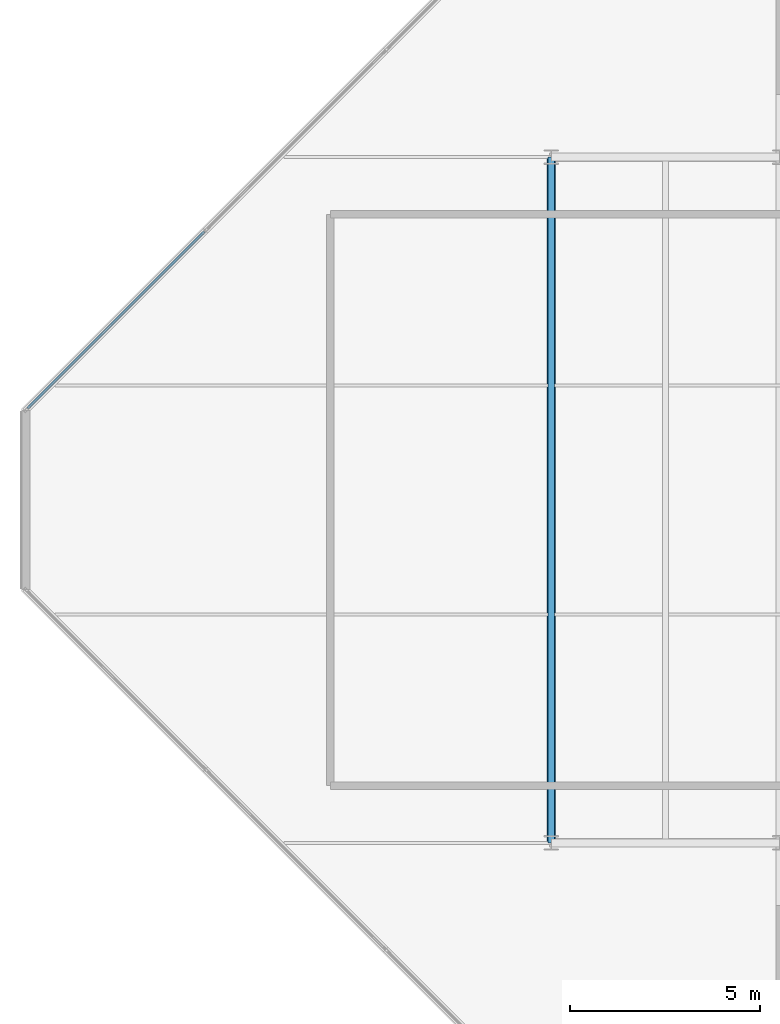
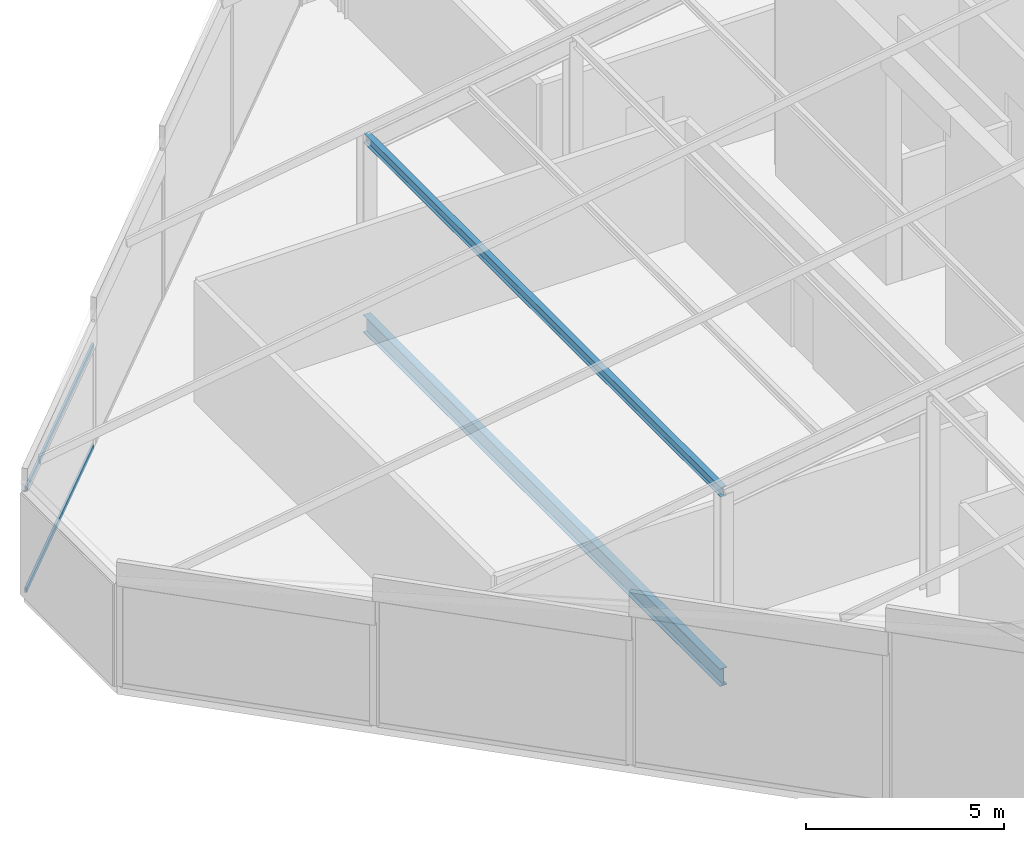
# One storey, part 7 of 30: 3 members, 1 beam, 1 element without a shape of its own.
"""IFC4 building model written with IfcOpenShell, lengths in metres."""

import ifcopenshell
import ifcopenshell.guid

model = None  # the IFC model being written
_history = None  # IfcOwnerHistory: only IFC2X3 demands one
_inside = {}  # id of a spatial element -> (the spatial element, [elements in it])
_under = {}  # id of a project, library or spatial element -> (it, [spatial elements below it])
_declared = {}  # id of a project -> (the project, [libraries it declares])
_typed = {}  # id of a type object -> (the type object, [elements of that type])
_made_of = {}  # id of a material, layer set ... -> (it, [elements and type objects made of it])


def new_model(schema):
    """Start an empty IFC model of exactly this schema.

    Asked for "IFC4X3", IfcOpenShell would pick the latest addendum, in which some entities
    have other attributes; the version numbers below select the first issue.
    IFC2X3 requires an IfcOwnerHistory on every rooted entity: one is made here for all.
    """
    global model, _history
    if schema == "IFC4X3":
        model = ifcopenshell.file(schema_version=(4, 3, 0, 0))
    else:
        model = ifcopenshell.file(schema=schema)
    _inside.clear()
    _under.clear()
    _declared.clear()
    _typed.clear()
    _made_of.clear()
    _history = None
    if model.schema == "IFC2X3":
        org = make("IfcOrganization", Name="unknown")
        user = make(
            "IfcPersonAndOrganization",
            ThePerson=make("IfcPerson", FamilyName="unknown"),
            TheOrganization=org,
        )
        app = make(
            "IfcApplication",
            ApplicationDeveloper=org,
            Version="unknown",
            ApplicationFullName="unknown",
            ApplicationIdentifier="unknown",
        )
        _history = make(
            "IfcOwnerHistory",
            OwningUser=user,
            OwningApplication=app,
            ChangeAction="ADDED",
            CreationDate=0,
        )
    return model


def make(cls, **values):
    """One entity of the class cls with the attributes given. An attribute that is None is left unset."""
    return model.create_entity(
        cls, **{name: value for name, value in values.items() if value is not None}
    )


def rooted(cls, **values):
    """An entity with a GlobalId (a new one), such as an element, a storey or a relation."""
    return make(cls, GlobalId=ifcopenshell.guid.new(), OwnerHistory=_history, **values)


def si_unit(unit_type, name, prefix=None):
    """IfcSIUnit, for example si_unit("LENGTHUNIT", "METRE", prefix="MILLI")."""
    return make("IfcSIUnit", UnitType=unit_type, Prefix=prefix, Name=name)


def assignment(units):
    """IfcUnitAssignment: the units of a project."""
    return None if units is None else make("IfcUnitAssignment", Units=units)


def point(xyz):
    """IfcCartesianPoint."""
    return None if xyz is None else make("IfcCartesianPoint", Coordinates=xyz)


def direction(xyz):
    """IfcDirection."""
    return None if xyz is None else make("IfcDirection", DirectionRatios=xyz)


def frame(location, z_axis=None, x_axis=None):
    """IfcAxis2Placement3D, a coordinate frame: its origin and axes. An axis left out is left unset."""
    return make(
        "IfcAxis2Placement3D",
        Location=point(location),
        Axis=direction(z_axis),
        RefDirection=direction(x_axis),
    )


def frame_2d(location, x_axis=None):
    """IfcAxis2Placement2D, a coordinate frame in the plane: its origin and x axis."""
    return make(
        "IfcAxis2Placement2D", Location=point(location), RefDirection=direction(x_axis)
    )


def origin():
    """The frame at (0, 0, 0) with its axes left unset."""
    return frame((0.0, 0.0, 0.0))


def origin_2d():
    """The frame at (0, 0) in the plane with its x axis left unset."""
    return frame_2d((0.0, 0.0))


def place(relative_to, where):
    """IfcLocalPlacement: puts the frame where relative to a parent placement (None: the world)."""
    return make(
        "IfcLocalPlacement", PlacementRelTo=relative_to, RelativePlacement=where
    )


def context(
    kind, dimensions, precision=None, world=None, true_north=None, identifier=None
):
    """IfcGeometricRepresentationContext, for example the 3D "Model" context."""
    return make(
        "IfcGeometricRepresentationContext",
        ContextIdentifier=identifier,
        ContextType=kind,
        CoordinateSpaceDimension=dimensions,
        Precision=precision,
        WorldCoordinateSystem=world,
        TrueNorth=true_north,
    )


def subcontext(parent, identifier, kind, view, scale=None):
    """IfcGeometricRepresentationSubContext, for example "Body" below "Model"."""
    return make(
        "IfcGeometricRepresentationSubContext",
        ContextIdentifier=identifier,
        ContextType=kind,
        ParentContext=parent,
        TargetScale=scale,
        TargetView=view,
    )


def project(units=None, contexts=None):
    """IfcProject with its units and contexts."""
    return rooted(
        "IfcProject",
        Name="project",
        RepresentationContexts=contexts,
        UnitsInContext=assignment(units),
    )


def spatial(cls, under=None, at=None, **own):
    """A site, building, storey or space (cls), placed at a placement, below another one or the project."""
    s = rooted(cls, ObjectPlacement=at, **own)
    if under is not None:
        _under.setdefault(under.id(), (under, []))[1].append(s)
    return s


def profile(cls, at=None, kind="AREA", **sizes):
    """A parametric profile (cls). Its sizes go by their IFC names, for example OverallWidth=200.0."""
    return make(cls, ProfileType=kind, Position=at, **sizes)


def hollow_rectangle(**sizes):
    """IfcRectangleHollowProfileDef."""
    return profile("IfcRectangleHollowProfileDef", **sizes)


def i_section(**sizes):
    """IfcIShapeProfileDef."""
    return profile("IfcIShapeProfileDef", **sizes)


def extrude(swept, where, along, depth):
    """IfcExtrudedAreaSolid: the profile swept, set in the frame where, extruded along a direction by depth."""
    return make(
        "IfcExtrudedAreaSolid",
        SweptArea=swept,
        Position=where,
        ExtrudedDirection=direction(along),
        Depth=depth,
    )


def shape(context_of_items, identifier, shape_type, items):
    """IfcShapeRepresentation: the items that make up one representation, for example the "Body"."""
    return make(
        "IfcShapeRepresentation",
        ContextOfItems=context_of_items,
        RepresentationIdentifier=identifier,
        RepresentationType=shape_type,
        Items=items,
    )


def material(Name=None, Category=None):
    """IfcMaterial."""
    return make("IfcMaterial", Name=Name, Category=Category)


def layer(
    of_material, thickness, ventilated=None, Name=None, Category=None, Priority=None
):
    """IfcMaterialLayer: one layer of a wall or slab, of a material (None: an air gap)."""
    return make(
        "IfcMaterialLayer",
        Material=of_material,
        LayerThickness=thickness,
        IsVentilated=ventilated,
        Name=Name,
        Category=Category,
        Priority=Priority,
    )


def layer_set(layers, Name=None):
    """IfcMaterialLayerSet."""
    return make("IfcMaterialLayerSet", MaterialLayers=layers, LayerSetName=Name)


def material_profile(
    of_material, cross_section, Name=None, Category=None, Priority=None
):
    """IfcMaterialProfile: a cross section and its material."""
    return make(
        "IfcMaterialProfile",
        Name=Name,
        Material=of_material,
        Profile=cross_section,
        Priority=Priority,
        Category=Category,
    )


def profile_set(profiles, Name=None, composite=None):
    """IfcMaterialProfileSet."""
    return make(
        "IfcMaterialProfileSet",
        Name=Name,
        MaterialProfiles=profiles,
        CompositeProfile=composite,
    )


def made_of(thing, what):
    """Note that an element or type object is made of a material, layer set ...; save() writes the relation."""
    if what is not None:
        _made_of.setdefault(what.id(), (what, []))[1].append(thing)
    return thing


def type_object(cls, material=None, **own):
    """A type object (cls), such as IfcWallType, which elements share."""
    return made_of(rooted(cls, **own), material)


def element(
    cls,
    number,
    at=None,
    inside=None,
    cuts=None,
    type_object=None,
    material=None,
    context=None,
    identifier="Body",
    shape_type=None,
    held_by="IfcProductDefinitionShape",
    body=None,
    shapes=None,
    **own,
):
    """One element of the class cls, such as IfcWall. Its Tag is "e" and its number.

    at: its placement. inside: the storey or other place that contains it. cuts: it is an
    opening in that element (IfcRelVoidsElement). A single representation is given by context,
    identifier, shape_type and body (its items); several are given by shapes. held_by: the class
    of the entity that holds the representations. save() writes the other relations.
    """
    e = rooted(cls, Tag="e%d" % number, ObjectPlacement=at, **own)
    if body is not None:
        shapes = [shape(context, identifier, shape_type, body)]
    if shapes is not None:
        e.Representation = make(held_by, Representations=shapes)
    if inside is not None:
        _inside.setdefault(inside.id(), (inside, []))[1].append(e)
    if cuts is not None:
        rooted(
            "IfcRelVoidsElement", RelatingBuildingElement=cuts, RelatedOpeningElement=e
        )
    if type_object is not None:
        _typed.setdefault(type_object.id(), (type_object, []))[1].append(e)
    return made_of(e, material)


def aggregate(whole, parts):
    """IfcRelAggregates: a whole, such as a stair, and the parts it consists of."""
    return rooted("IfcRelAggregates", RelatingObject=whole, RelatedObjects=parts)


def save(model, path):
    """Write the relations noted so far, then the file.

    IfcRelAggregates (storeys below a building ...), IfcRelContainedInSpatialStructure (elements
    in a storey), IfcRelDefinesByType, IfcRelAssociatesMaterial and IfcRelDeclares: one each for
    every whole, place, type object, material and project.
    """
    for whole, parts in _under.values():
        aggregate(whole, parts)
    for where, things in _inside.values():
        rooted(
            "IfcRelContainedInSpatialStructure",
            RelatedElements=things,
            RelatingStructure=where,
        )
    for kind, things in _typed.values():
        rooted("IfcRelDefinesByType", RelatedObjects=things, RelatingType=kind)
    for what, things in _made_of.values():
        rooted("IfcRelAssociatesMaterial", RelatedObjects=things, RelatingMaterial=what)
    for by, libraries in _declared.values():
        rooted("IfcRelDeclares", RelatingContext=by, RelatedDefinitions=libraries)
    model.write(path)


model = new_model("IFC4")

# Units and contexts
model_context = context("Model", 3, precision=1e-05, world=origin(), true_north=direction((0.0, 1.0)))
body_context = subcontext(model_context, "Body", "Model", "MODEL_VIEW")
ifc_project = project(units=[si_unit("LENGTHUNIT", "METRE"), si_unit("AREAUNIT", "SQUARE_METRE"), si_unit("VOLUMEUNIT", "CUBIC_METRE"), si_unit("PLANEANGLEUNIT", "RADIAN"), si_unit("MASSUNIT", "GRAM", prefix="KILO")], contexts=[model_context])

# Site, building, storey
site_placement = place(None, origin())
site = spatial("IfcSite", under=ifc_project, at=site_placement, CompositionType="ELEMENT")
building_placement = place(site_placement, origin())
building = spatial("IfcBuilding", under=site, at=building_placement, Name="Tanjung Sevakor Pilgrim Tower", CompositionType="ELEMENT")
storey_placement = place(building_placement, frame((0.0, 0.0, 287.760009765625)))
storey = spatial("IfcBuildingStorey", under=building, at=storey_placement, Name="L80", CompositionType="ELEMENT", Elevation=287.760009765625)

# Beam
ifc_material_1 = material(Name="Steel S355J2", Category="steel")
ifc_material_profile_1 = material_profile(ifc_material_1, i_section(OverallWidth=0.210693359375, OverallDepth=0.53955078125, WebThickness=0.01171875, FlangeThickness=0.018798828125, FilletRadius=0.0126953125, at=origin_2d()))
ifc_profile_set_1 = profile_set([ifc_material_profile_1], Name="Steel S355J2")
beam_type = type_object("IfcBeamType", Name="BM-B-G6-UB_533x210x109", PredefinedType="BEAM", material=ifc_profile_set_1)
beam_placement = place(storey_placement, frame((66.0, 24.60009765625, -0.52978515625), z_axis=(0.0, 1.0, 0.0), x_axis=(-1.0, 0.0, 0.0)))
element("IfcBeam", 1, at=beam_placement, inside=storey, type_object=beam_type, Name="L80 EAST Girder 001", PredefinedType="BEAM", context=body_context, shape_type="SweptSolid", body=[
    extrude(i_section(OverallWidth=0.210693359375, OverallDepth=0.53955078125, WebThickness=0.01171875, FlangeThickness=0.018798828125, FilletRadius=0.0126953125, at=origin_2d()), origin(), (0.0, 0.0, 1.0), 18.0),
])

# Member
ifc_material_2 = material(Name="Steel S355J2", Category="steel")
ifc_material_profile_2 = material_profile(ifc_material_2, i_section(OverallWidth=0.165771484375, OverallDepth=0.306640625, WebThickness=0.006591796875, FlangeThickness=0.01171875, FilletRadius=0.0087890625, at=origin_2d()))
ifc_profile_set_2 = profile_set([ifc_material_profile_2], Name="Steel S355J2")
member_type_1 = type_object("IfcMemberType", Name="MEM-M-PR1-UB_305x165x46", PredefinedType="PURLIN", material=ifc_profile_set_2)
member_1_placement = place(storey_placement, frame((66.0, 24.60009765625, 5.170654296875), z_axis=(0.0, 1.0, 0.0), x_axis=(-1.0, 0.0, 0.0)))
element("IfcMember", 2, at=member_1_placement, inside=storey, type_object=member_type_1, Name="L80 Crown Roof Purlin 01", PredefinedType="PURLIN", context=body_context, shape_type="SweptSolid", body=[
    extrude(i_section(OverallWidth=0.165771484375, OverallDepth=0.306640625, WebThickness=0.006591796875, FlangeThickness=0.01171875, FilletRadius=0.0087890625, at=origin_2d()), origin(), (0.0, 0.0, 1.0), 18.0),
])

# Curtain wall, members
ifc_material_3 = material(Name="Aluminium 6063-T6 and Low-E Glass", Category="aluminium")
ifc_layer = layer(ifc_material_3, 0.179931640625)
ifc_layer_set = layer_set([ifc_layer], Name="CW-SYS-CHAM")
curtain_wall_type = type_object("IfcCurtainWallType", Name="CW-SYS-CHAM", PredefinedType="NOTDEFINED", material=ifc_layer_set)
curtain_wall_placement = place(storey_placement, origin())
curtain_wall = element("IfcCurtainWall", 3, at=curtain_wall_placement, inside=storey, type_object=curtain_wall_type, Name="L80 Curtain Wall CW-CHM-L80-EAST-5B4", PredefinedType="NOTDEFINED")
ifc_material_4 = material(Name="Aluminium 6063-T6", Category="aluminium")
ifc_material_profile_3 = material_profile(ifc_material_4, hollow_rectangle(XDim=0.06494140625, YDim=0.139892578125, WallThickness=0.00390625, at=origin_2d()))
ifc_profile_set_3 = profile_set([ifc_material_profile_3], Name="Aluminium 6063-T6")
member_type_2 = type_object("IfcMemberType", Name="TYPE-CWT-1", PredefinedType="USERDEFINED", material=ifc_profile_set_3)
member_2_placement = place(storey_placement, frame((56.89794921875, 40.642333984375, 0.032470703125), z_axis=(-0.707106781187, -0.707106781187, 0.0), x_axis=(0.707106781187, -0.707106781187, 0.0)))
member_2 = element("IfcMember", 4, at=member_2_placement, type_object=member_type_2, Name="CW-CHM transom 1.1", ObjectType="TRANSOM", PredefinedType="USERDEFINED", context=body_context, shape_type="SweptSolid", body=[
    extrude(hollow_rectangle(XDim=0.06494140625, YDim=0.139892578125, WallThickness=0.00390625, at=origin_2d()), origin(), (0.0, 0.0, 1.0), 6.56494140625),
])
member_3_placement = place(storey_placement, frame((56.89794921875, 40.642333984375, 3.144775390625), z_axis=(-0.707106781187, -0.707106781187, 0.0), x_axis=(0.707106781187, -0.707106781187, 0.0)))
member_3 = element("IfcMember", 5, at=member_3_placement, type_object=member_type_2, Name="CW-CHM transom 1.2", ObjectType="TRANSOM", PredefinedType="USERDEFINED", context=body_context, shape_type="SweptSolid", body=[
    extrude(hollow_rectangle(XDim=0.06494140625, YDim=0.139892578125, WallThickness=0.00390625, at=origin_2d()), origin(), (0.0, 0.0, 1.0), 6.56494140625),
])
aggregate(curtain_wall, [member_2, member_3])

save(model, "model.ifc")
